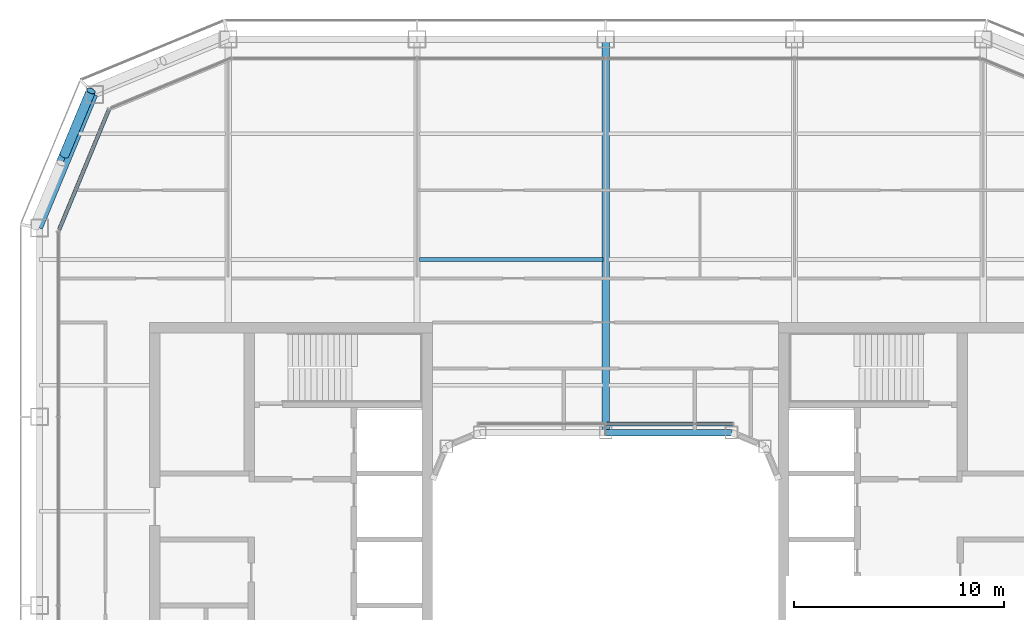
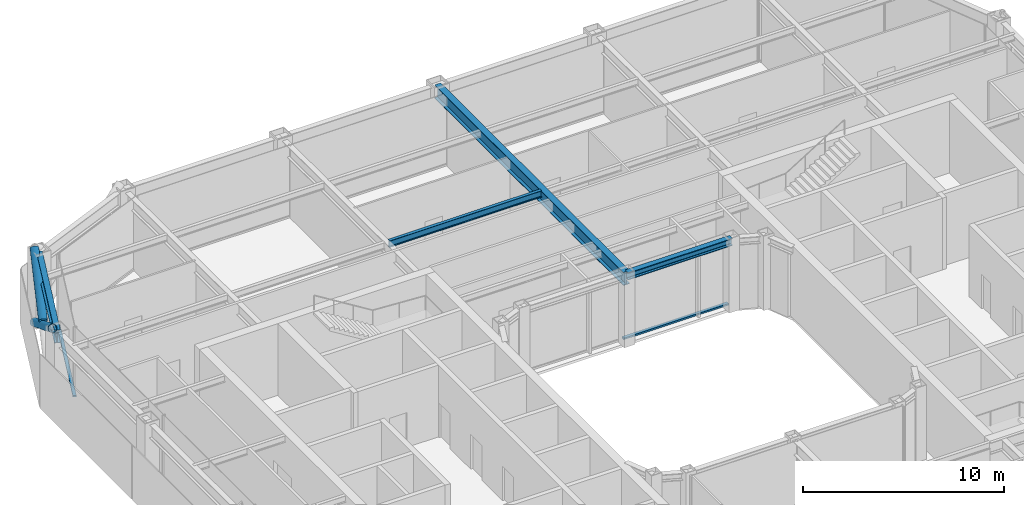
# One storey, part 7 of 19: 4 beams, 4 members, 2 elements without a shape of their own.
"""IFC4 building model written with IfcOpenShell, lengths in metres."""

from ifc_helpers import new_model, si_unit, direction, frame, origin, origin_2d, place, context, subcontext, project, spatial, rectangle, hollow_circle, i_section, extrude, material, layer, layer_set, material_profile, profile_set, type_object, element, aggregate, save


model = new_model("IFC4")

# Units and contexts
model_context = context("Model", 3, precision=1e-05, world=origin(), true_north=direction((0.0, 1.0)))
body_context = subcontext(model_context, "Body", "Model", "MODEL_VIEW")
ifc_project = project(units=[si_unit("LENGTHUNIT", "METRE"), si_unit("AREAUNIT", "SQUARE_METRE"), si_unit("VOLUMEUNIT", "CUBIC_METRE"), si_unit("PLANEANGLEUNIT", "RADIAN"), si_unit("MASSUNIT", "GRAM", prefix="KILO")], contexts=[model_context])

# Site, building, storey
site_placement = place(None, origin())
site = spatial("IfcSite", under=ifc_project, at=site_placement, CompositionType="ELEMENT")
building_placement = place(site_placement, origin())
building = spatial("IfcBuilding", under=site, at=building_placement, Name="Siwar Civic Tower", CompositionType="ELEMENT")
storey_placement = place(building_placement, frame((0.0, 0.0, 192.699951171875)))
storey = spatial("IfcBuildingStorey", under=building, at=storey_placement, Name="L41", CompositionType="ELEMENT", Elevation=192.699951171875)

# Curtain wall, member
ifc_material_1 = material(Name="Aluminium clad insulated panel", Category="aluminium")
ifc_layer_1 = layer(ifc_material_1, 0.179931640625)
ifc_layer_set_1 = layer_set([ifc_layer_1], Name="Aluminium clad insulated panel")
curtain_wall_type_1 = type_object("IfcCurtainWallType", Name="ENV-CW-CX", PredefinedType="NOTDEFINED", material=ifc_layer_set_1)
curtain_wall_1_placement = place(storey_placement, origin())
curtain_wall_1 = element("IfcCurtainWall", 1, at=curtain_wall_1_placement, inside=storey, type_object=curtain_wall_type_1, Name="Curtain wall C NW2", PredefinedType="NOTDEFINED")
ifc_material_2 = material(Name="Aluminium 6063-T6", Category="aluminium")
ifc_material_profile_1 = material_profile(ifc_material_2, rectangle(XDim=0.179931640625, YDim=0.10009765625, at=origin_2d()), Name="AL 180x100")
ifc_profile_set_1 = profile_set([ifc_material_profile_1], Name="Aluminium 6063-T6")
member_type_1 = type_object("IfcMemberType", Name="ENV-TRANSOM-C", PredefinedType="USERDEFINED", material=ifc_profile_set_1)
member_1_placement = place(storey_placement, frame((-23.6865234375, 23.6474609375, 0.050048828125), z_axis=(-0.382691366456, -0.923876246063, 0.0), x_axis=(0.923876246063, -0.382691366456, 0.0)))
member_1 = element("IfcMember", 2, at=member_1_placement, type_object=member_type_1, Name="Transom C NW2 1", ObjectType="TRANSOM", PredefinedType="USERDEFINED", context=body_context, shape_type="SweptSolid", body=[
    extrude(rectangle(XDim=0.179931640625, YDim=0.10009765625, at=origin_2d()), origin(), (0.0, 0.0, 1.0), 6.20166015625),
])
aggregate(curtain_wall_1, [member_1])

ifc_material_3 = material(Name="Aluminium and glass", Category="aluminium")
ifc_layer_2 = layer(ifc_material_3, 0.179931640625)
ifc_layer_set_2 = layer_set([ifc_layer_2], Name="Aluminium and glass")
curtain_wall_type_2 = type_object("IfcCurtainWallType", Name="ENV-CW-W", PredefinedType="NOTDEFINED", material=ifc_layer_set_2)
curtain_wall_2_placement = place(storey_placement, origin())
curtain_wall_2 = element("IfcCurtainWall", 3, at=curtain_wall_2_placement, inside=storey, type_object=curtain_wall_type_2, Name="Curtain wall W WN", PredefinedType="NOTDEFINED")
ifc_material_4 = material(Name="Aluminium 6063-T6", Category="aluminium")
ifc_material_profile_2 = material_profile(ifc_material_4, rectangle(XDim=0.179931640625, YDim=0.10009765625, at=origin_2d()), Name="AL 180x100")
ifc_profile_set_2 = profile_set([ifc_material_profile_2], Name="Aluminium 6063-T6")
member_type_2 = type_object("IfcMemberType", Name="ENV-TRANSOM-W", PredefinedType="USERDEFINED", material=ifc_profile_set_2)
member_2_placement = place(storey_placement, frame((6.051513671875, 8.659912109375, 0.050048828125), z_axis=(-1.0, 0.0, 0.0), x_axis=(0.0, -1.0, 0.0)))
member_2 = element("IfcMember", 4, at=member_2_placement, type_object=member_type_2, Name="Transom W WN 1", ObjectType="TRANSOM", PredefinedType="USERDEFINED", context=body_context, shape_type="SweptSolid", body=[
    extrude(rectangle(XDim=0.179931640625, YDim=0.10009765625, at=origin_2d()), origin(), (0.0, 0.0, 1.0), 6.021484375),
])
aggregate(curtain_wall_2, [member_2])

# Members
ifc_material_5 = material(Name="Steel S355", Category="steel")
ifc_material_profile_3 = material_profile(ifc_material_5, hollow_circle(Radius=0.228515625, WallThickness=0.02001953125, at=origin_2d()), Name="CHS457x20")
ifc_profile_set_3 = profile_set([ifc_material_profile_3], Name="Steel S355")
member_type_3 = type_object("IfcMemberType", Name="STR-BR-CHS457x20", PredefinedType="BRACE", material=ifc_profile_set_3)
member_3_placement = place(storey_placement, frame((-24.540771484375, 24.540771484375, 0.0), z_axis=(-0.323905527954, -0.777554562952, 0.538975055633), x_axis=(0.923108759191, -0.384538969033, 0.0)))
element("IfcMember", 5, at=member_3_placement, inside=storey, type_object=member_type_3, Name="L41/brc/CNW1-1-0-1", PredefinedType="BRACE", context=body_context, shape_type="SweptSolid", body=[
    extrude(hollow_circle(Radius=0.228515625, WallThickness=0.02001953125, at=origin_2d()), origin(), (0.0, 0.0, 1.0), 8.34912109375),
])
member_4_placement = place(storey_placement, frame((-25.81298828125, 21.486572265625, 2.383056640625), z_axis=(0.323895306243, 0.777572496853, 0.538955325357), x_axis=(-0.92311621485, 0.38452107079, 0.0)))
element("IfcMember", 6, at=member_4_placement, inside=storey, type_object=member_type_3, Name="L41/brc/CNW1-1-0-3", PredefinedType="BRACE", context=body_context, shape_type="SweptSolid", body=[
    extrude(hollow_circle(Radius=0.228515625, WallThickness=0.02001953125, at=origin_2d()), origin(), (0.0, 0.0, 1.0), 3.927978515625),
])

# Beams
ifc_material_6 = material(Name="Steel S355", Category="steel")
ifc_material_profile_4 = material_profile(ifc_material_6, i_section(OverallWidth=0.179931640625, OverallDepth=0.39990234375, WebThickness=0.008544921875, FlangeThickness=0.013427734375, FilletRadius=0.02099609375, at=origin_2d()), Name="IPE400")
ifc_profile_set_4 = profile_set([ifc_material_profile_4], Name="Steel S355")
beam_type_1 = type_object("IfcBeamType", Name="STR-FB-IPE400", PredefinedType="JOIST", material=ifc_profile_set_4)
beam_1_placement = place(storey_placement, frame((-8.8701171875, 16.5, 4.150146484375), z_axis=(1.0, 0.0, 0.0), x_axis=(0.0, 1.0, 0.0)))
element("IfcBeam", 7, at=beam_1_placement, inside=storey, type_object=beam_type_1, Name="L41/bm/F033", PredefinedType="JOIST", context=body_context, shape_type="SweptSolid", body=[
    extrude(i_section(OverallWidth=0.179931640625, OverallDepth=0.39990234375, WebThickness=0.008544921875, FlangeThickness=0.013427734375, FilletRadius=0.02099609375, at=origin_2d()), origin(), (0.0, 0.0, 1.0), 8.740234375),
])
ifc_material_7 = material(Name="Steel S355", Category="steel")
ifc_material_profile_5 = material_profile(ifc_material_7, i_section(OverallWidth=0.360107421875, OverallDepth=0.800048828125, WebThickness=0.013916015625, FlangeThickness=0.031982421875, at=origin_2d()), Name="PG800x360x14x32")
ifc_profile_set_5 = profile_set([ifc_material_profile_5], Name="Steel S355")
beam_type_2 = type_object("IfcBeamType", Name="STR-PG-PG800x360x14x32", PredefinedType="BEAM", material=ifc_profile_set_5)
beam_2_placement = place(storey_placement, frame((0.0, 8.25, 3.949951171875), z_axis=(0.0, 1.0, 0.0), x_axis=(-1.0, 0.0, 0.0)))
element("IfcBeam", 8, at=beam_2_placement, inside=storey, type_object=beam_type_2, Name="L41/bm/G06", PredefinedType="BEAM", context=body_context, shape_type="SweptSolid", body=[
    extrude(i_section(OverallWidth=0.360107421875, OverallDepth=0.800048828125, WebThickness=0.013916015625, FlangeThickness=0.031982421875, at=origin_2d()), origin(), (0.0, 0.0, 1.0), 18.75),
])
ifc_material_8 = material(Name="Steel S355", Category="steel")
ifc_material_profile_6 = material_profile(ifc_material_8, i_section(OverallWidth=0.306884765625, OverallDepth=0.431884765625, WebThickness=0.02099609375, FlangeThickness=0.0400390625, FilletRadius=0.027099609375, at=origin_2d()), Name="HEM400")
ifc_profile_set_6 = profile_set([ifc_material_profile_6], Name="Steel S355")
beam_type_3 = type_object("IfcBeamType", Name="STR-RB-HEM400", PredefinedType="BEAM", material=ifc_profile_set_6)
beam_3_placement = place(storey_placement, frame((0.0, 8.25, 4.134033203125), z_axis=(1.0, 0.0, 0.0), x_axis=(0.0, 1.0, 0.0)))
element("IfcBeam", 9, at=beam_3_placement, inside=storey, type_object=beam_type_3, Name="L41/bm/RN2", PredefinedType="BEAM", context=body_context, shape_type="SweptSolid", body=[
    extrude(i_section(OverallWidth=0.306884765625, OverallDepth=0.431884765625, WebThickness=0.02099609375, FlangeThickness=0.0400390625, FilletRadius=0.027099609375, at=origin_2d()), origin(), (0.0, 0.0, 1.0), 6.0),
])
ifc_material_9 = material(Name="Steel S355", Category="steel")
ifc_material_profile_7 = material_profile(ifc_material_9, i_section(OverallWidth=0.300048828125, OverallDepth=0.800048828125, WebThickness=0.017578125, FlangeThickness=0.032958984375, FilletRadius=0.030029296875, at=origin_2d()), Name="HEB800")
ifc_profile_set_7 = profile_set([ifc_material_profile_7], Name="Steel S355")
beam_type_4 = type_object("IfcBeamType", Name="STR-SB-HEB800", PredefinedType="BEAM", material=ifc_profile_set_7)
beam_4_placement = place(storey_placement, frame((-24.364013671875, 24.364013671875, 3.949951171875), z_axis=(-0.382674207535, -0.923883353507, 0.0), x_axis=(0.923883353507, -0.382674207535, 0.0)))
element("IfcBeam", 10, at=beam_4_placement, inside=storey, type_object=beam_type_4, Name="L41/bm/SNW2-0", PredefinedType="BEAM", context=body_context, shape_type="SweptSolid", body=[
    extrude(i_section(OverallWidth=0.300048828125, OverallDepth=0.800048828125, WebThickness=0.017578125, FlangeThickness=0.032958984375, FilletRadius=0.030029296875, at=origin_2d()), origin(), (0.0, 0.0, 1.0), 6.888427734375),
])

save(model, "model.ifc")
